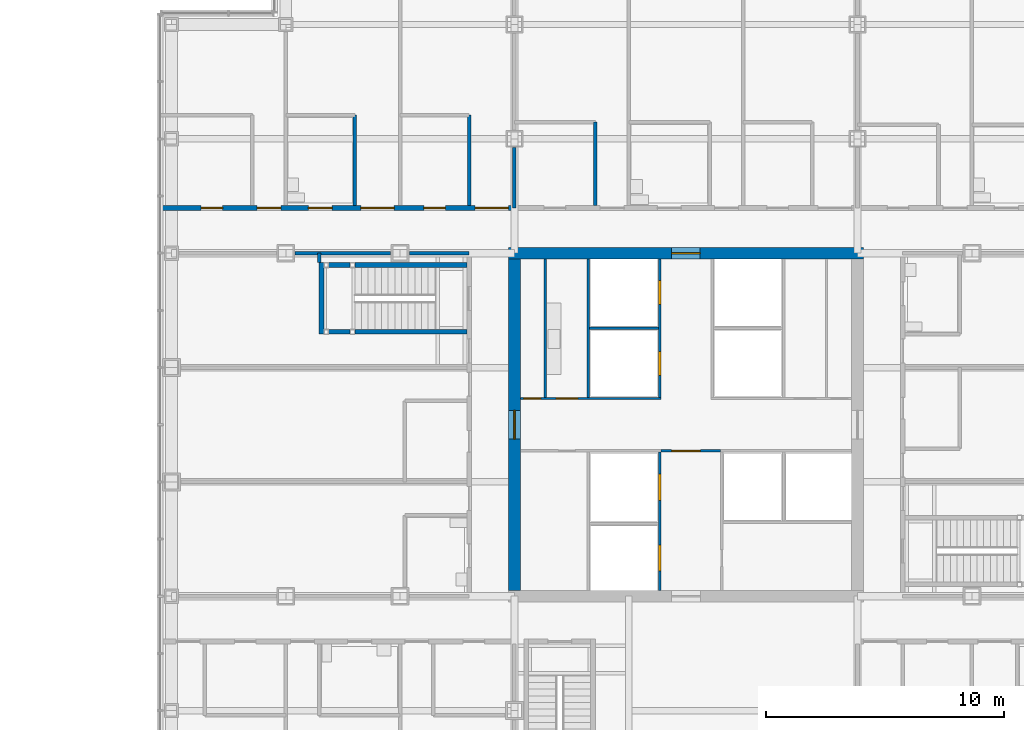
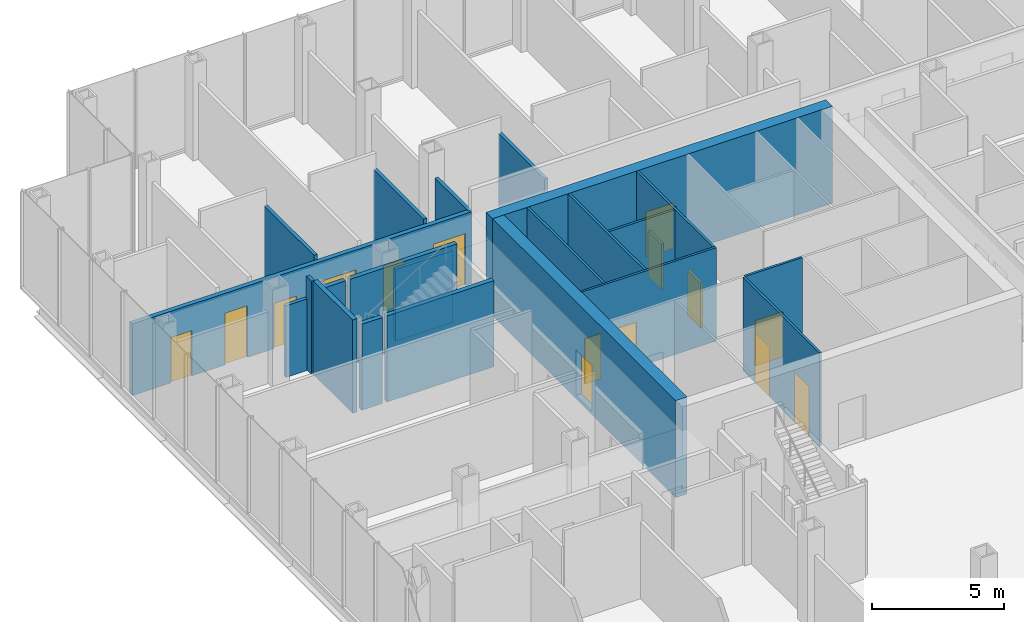
# One storey, part 21 of 28: 22 walls, 15 doors, 15 openings.
"""IFC4 building model written with IfcOpenShell, lengths in metres."""

from ifc_helpers import new_model, si_unit, direction, frame, frame_2d, origin, place, context, subcontext, project, spatial, rectangle, extrude, material, layer, layer_set, type_object, element, fill, save


model = new_model("IFC4")

# Units and contexts
model_context = context("Model", 3, precision=1e-05, world=origin(), true_north=direction((0.0, 1.0)))
body_context = subcontext(model_context, "Body", "Model", "MODEL_VIEW")
ifc_project = project(units=[si_unit("LENGTHUNIT", "METRE"), si_unit("AREAUNIT", "SQUARE_METRE"), si_unit("VOLUMEUNIT", "CUBIC_METRE"), si_unit("PLANEANGLEUNIT", "RADIAN"), si_unit("MASSUNIT", "GRAM", prefix="KILO")], contexts=[model_context])

# Site, building, storey
site_placement = place(None, origin())
site = spatial("IfcSite", under=ifc_project, at=site_placement, CompositionType="ELEMENT")
building_placement = place(site_placement, origin())
building = spatial("IfcBuilding", under=site, at=building_placement, Name="Kvirike Care Tower", CompositionType="ELEMENT")
storey_placement = place(building_placement, frame((0.0, 0.0, 4.5)))
storey = spatial("IfcBuildingStorey", under=building, at=storey_placement, Name="L01", CompositionType="ELEMENT", Elevation=4.5)

# Walls
ifc_material_1 = material(Name="Plasterboard partition", Category="gypsum")
ifc_layer_1 = layer(ifc_material_1, 0.14990234375)
ifc_layer_set_1 = layer_set([ifc_layer_1], Name="CLINIC PARTITION 150")
wall_type_1 = type_object("IfcWallType", Name="CLINIC PARTITION 150", PredefinedType="PARTITIONING", material=ifc_layer_set_1)
wall_1_placement = place(storey_placement, frame((6.199951171875, 43.199951171875, 0.0), z_axis=(0.0, 0.0, 1.0), x_axis=(0.0, -1.0, 0.0)))
element("IfcWall", 1, at=wall_1_placement, inside=storey, type_object=wall_type_1, Name="Clinic Partition 150 L01", PredefinedType="PARTITIONING", context=body_context, shape_type="SweptSolid", body=[
    extrude(rectangle(XDim=0.39990234375, YDim=0.14990234375, at=frame_2d((0.199951171875, 0.0))), origin(), (0.0, 0.0, 1.0), 4.330078125),
])
for number, where, z_axis, x_axis, name in (
    (2, (12.5, 49.0, 0.0), (0.0, 0.0, 1.0), (0.0, -1.0, 0.0), "Clinic Partition 150 L01"),
    (3, (7.699951171875, 49.0, 0.0), (0.0, 0.0, 1.0), (0.0, -1.0, 0.0), "Clinic Partition 150 L01"),
):
    element("IfcWall", number, at=place(storey_placement, frame(where, z_axis=z_axis, x_axis=x_axis)), inside=storey, type_object=wall_type_1, Name=name, PredefinedType="PARTITIONING", context=body_context, shape_type="SweptSolid", body=[
        extrude(rectangle(XDim=3.800048828125, YDim=0.14990234375, at=frame_2d((1.89990234375, 0.0))), origin(), (0.0, 0.0, 1.0), 3.550048828125),
    ])
wall_2_placement = place(storey_placement, frame((17.800048828125, 48.699951171875, 0.0), z_axis=(0.0, 0.0, 1.0), x_axis=(0.0, -1.0, 0.0)))
element("IfcWall", 4, at=wall_2_placement, inside=storey, type_object=wall_type_1, Name="Clinic Partition 150 L01", PredefinedType="PARTITIONING", context=body_context, shape_type="SweptSolid", body=[
    extrude(rectangle(XDim=3.5, YDim=0.14990234375, at=frame_2d((1.75, 0.0))), origin(), (0.0, 0.0, 1.0), 3.550048828125),
])
wall_3_placement = place(storey_placement, frame((12.5, 43.199951171875, 0.0), z_axis=(0.0, 0.0, 1.0), x_axis=(-1.0, 0.0, 0.0)))
element("IfcWall", 5, at=wall_3_placement, inside=storey, type_object=wall_type_1, Name="Clinic Partition 150 L01", PredefinedType="PARTITIONING", context=body_context, shape_type="SweptSolid", body=[
    extrude(rectangle(XDim=2.5048828125, YDim=0.14990234375, at=frame_2d((1.25244140625, 0.0))), origin(), (0.0, 0.0, 1.0), 3.320068359375),
])
wall_4_placement = place(storey_placement, frame((9.205078125, 43.199951171875, 0.0), z_axis=(0.0, 0.0, 1.0), x_axis=(-1.0, 0.0, 0.0)))
element("IfcWall", 6, at=wall_4_placement, inside=storey, type_object=wall_type_1, Name="Clinic Partition 150 L01", PredefinedType="PARTITIONING", context=body_context, shape_type="SweptSolid", body=[
    extrude(rectangle(XDim=4.010009765625, YDim=0.14990234375, at=frame_2d((2.0048828125, 0.0))), origin(), (0.0, 0.0, 1.0), 3.320068359375),
])
wall_5_placement = place(storey_placement, frame((14.39990234375, 45.10009765625, 0.0), z_axis=(0.0, 0.0, 1.0), x_axis=(0.0, 1.0, 0.0)))
element("IfcWall", 7, at=wall_5_placement, inside=storey, type_object=wall_type_1, Name="Clinic Partition 150 L01", PredefinedType="PARTITIONING", context=body_context, shape_type="SweptSolid", body=[
    extrude(rectangle(XDim=2.52978515625, YDim=0.14990234375, at=frame_2d((1.264892578125, 0.0))), origin(), (0.0, 0.0, 1.0), 3.320068359375),
])

# Wall, opening, door
ifc_material_2 = material(Name="Concrete C60/75", Category="concrete")
ifc_layer_2 = layer(ifc_material_2, 0.5)
ifc_layer_set_2 = layer_set([ifc_layer_2], Name="CORE WALL 500 C60-75")
wall_type_2 = type_object("IfcWallType", Name="CORE WALL 500 C60-75", PredefinedType="SHEAR", material=ifc_layer_set_2)
wall_6_placement = place(storey_placement, frame((29.050048828125, 43.199951171875, -0.169921875), z_axis=(0.0, 0.0, 1.0), x_axis=(-1.0, 0.0, 0.0)))
wall_6 = element("IfcWall", 8, at=wall_6_placement, inside=storey, type_object=wall_type_2, Name="Core wall N L01", PredefinedType="SHEAR", context=body_context, shape_type="SweptSolid", body=[
    extrude(rectangle(XDim=14.900146484375, YDim=0.5, at=frame_2d((7.4501953125, 0.0))), origin(), (0.0, 0.0, 1.0), 4.5),
])
opening_1_placement = place(wall_6_placement, frame((6.85009765625, 0.0, 0.169921875)))
opening_1 = element("IfcOpeningElement", 9, at=opening_1_placement, cuts=wall_6, Name="Opening 01-062", PredefinedType="OPENING", context=body_context, shape_type="SweptSolid", body=[
    extrude(rectangle(XDim=1.199951171875, YDim=2.10009765625, at=frame_2d((0.60009765625, 1.050048828125))), frame((0.0, 0.260498046875, 0.0), z_axis=(0.0, -1.0, 0.0), x_axis=(1.0, 0.0, 0.0)), (0.0, 0.0, 1.0), 0.52099609375),
])
ifc_material_3 = material(Name="Timber door set", Category="wood")
door_type_1 = type_object("IfcDoorType", Name="CORE DOOR 1200", OperationType="SINGLE_SWING_LEFT", PredefinedType="DOOR", material=ifc_material_3)
door_1_placement = place(opening_1_placement, origin())
door_1 = element("IfcDoor", 10, at=door_1_placement, inside=storey, type_object=door_type_1, Name="Core door N L01", OperationType="SINGLE_SWING_LEFT", OverallHeight=2.10009765625, OverallWidth=1.199951171875, PredefinedType="DOOR", context=body_context, shape_type="SweptSolid", body=[
    extrude(rectangle(XDim=1.199951171875, YDim=2.10009765625, at=frame_2d((0.60009765625, 1.050048828125))), frame((0.0, 0.02685546875, 0.0), z_axis=(0.0, -1.0, 0.0), x_axis=(1.0, 0.0, 0.0)), (0.0, 0.0, 1.0), 0.053955078125),
])
fill(opening_1, door_1)

wall_7_placement = place(storey_placement, frame((14.39990234375, 42.949951171875, -0.169921875), z_axis=(0.0, 0.0, 1.0), x_axis=(0.0, -1.0, 0.0)))
wall_7 = element("IfcWall", 11, at=wall_7_placement, inside=storey, type_object=wall_type_2, Name="Core wall W L01", PredefinedType="SHEAR", context=body_context, shape_type="SweptSolid", body=[
    extrude(rectangle(XDim=13.89990234375, YDim=0.5, at=frame_2d((6.949951171875, 0.0))), origin(), (0.0, 0.0, 1.0), 4.5),
])
opening_2_placement = place(wall_7_placement, frame((6.35009765625, 0.0, 0.169921875)))
opening_2 = element("IfcOpeningElement", 12, at=opening_2_placement, cuts=wall_7, Name="Opening 01-060", PredefinedType="OPENING", context=body_context, shape_type="SweptSolid", body=[
    extrude(rectangle(XDim=1.199951171875, YDim=2.10009765625, at=frame_2d((0.60009765625, 1.050048828125))), frame((0.0, 0.260498046875, 0.0), z_axis=(0.0, -1.0, 0.0), x_axis=(1.0, 0.0, 0.0)), (0.0, 0.0, 1.0), 0.52099609375),
])
door_2_placement = place(opening_2_placement, origin())
door_2 = element("IfcDoor", 13, at=door_2_placement, inside=storey, type_object=door_type_1, Name="Core door W L01", OperationType="SINGLE_SWING_LEFT", OverallHeight=2.10009765625, OverallWidth=1.199951171875, PredefinedType="DOOR", context=body_context, shape_type="SweptSolid", body=[
    extrude(rectangle(XDim=1.199951171875, YDim=2.10009765625, at=frame_2d((0.60009765625, 1.050048828125))), frame((0.0, 0.02685546875, 0.0), z_axis=(0.0, -1.0, 0.0), x_axis=(1.0, 0.0, 0.0)), (0.0, 0.0, 1.0), 0.053955078125),
])
fill(opening_2, door_2)

# Wall, openings, doors
ifc_material_4 = material(Name="Plasterboard corridor wall", Category="gypsum")
ifc_layer_3 = layer(ifc_material_4, 0.199951171875)
ifc_layer_set_3 = layer_set([ifc_layer_3], Name="CORRIDOR WALL 200")
wall_type_3 = type_object("IfcWallType", Name="CORRIDOR WALL 200", PredefinedType="PARTITIONING", material=ifc_layer_set_3)
wall_8_placement = place(storey_placement, frame((14.39990234375, 45.10009765625, 0.0), z_axis=(0.0, 0.0, 1.0), x_axis=(-1.0, 0.0, 0.0)))
wall_8 = element("IfcWall", 14, at=wall_8_placement, inside=storey, type_object=wall_type_3, Name="Corridor Wall 200 L01", PredefinedType="PARTITIONING", context=body_context, shape_type="SweptSolid", body=[
    extrude(rectangle(XDim=14.85498046875, YDim=0.199951171875, at=frame_2d((7.427490234375, 0.0))), origin(), (0.0, 0.0, 1.0), 3.320068359375),
])
opening_3_placement = place(wall_8_placement, frame((0.25, 0.0, 0.0)))
opening_3 = element("IfcOpeningElement", 15, at=opening_3_placement, cuts=wall_8, Name="Opening 01-013", PredefinedType="OPENING", context=body_context, shape_type="SweptSolid", body=[
    extrude(rectangle(XDim=1.39990234375, YDim=2.39990234375, at=frame_2d((0.699951171875, 1.199951171875))), frame((0.0, 0.110595703125, 0.0), z_axis=(0.0, -1.0, 0.0), x_axis=(1.0, 0.0, 0.0)), (0.0, 0.0, 1.0), 0.220947265625),
])
opening_4_placement = place(wall_8_placement, frame((5.050048828125, 0.0, 0.0)))
opening_4 = element("IfcOpeningElement", 16, at=opening_4_placement, cuts=wall_8, Name="Opening 01-014", PredefinedType="OPENING", context=body_context, shape_type="SweptSolid", body=[
    extrude(rectangle(XDim=1.39990234375, YDim=2.39990234375, at=frame_2d((0.699951171875, 1.199951171875))), frame((0.0, 0.110595703125, 0.0), z_axis=(0.0, -1.0, 0.0), x_axis=(1.0, 0.0, 0.0)), (0.0, 0.0, 1.0), 0.220947265625),
])
opening_5_placement = place(wall_8_placement, frame((9.800048828125, 0.0, 0.0)))
opening_5 = element("IfcOpeningElement", 17, at=opening_5_placement, cuts=wall_8, Name="Opening 01-015", PredefinedType="OPENING", context=body_context, shape_type="SweptSolid", body=[
    extrude(rectangle(XDim=1.0, YDim=2.39990234375, at=frame_2d((0.5, 1.199951171875))), frame((0.0, 0.110595703125, 0.0), z_axis=(0.0, -1.0, 0.0), x_axis=(1.0, 0.0, 0.0)), (0.0, 0.0, 1.0), 0.220947265625),
])
opening_6_placement = place(wall_8_placement, frame((2.89990234375, 0.0, 0.0)))
opening_6 = element("IfcOpeningElement", 18, at=opening_6_placement, cuts=wall_8, Name="Opening 01-016", PredefinedType="OPENING", context=body_context, shape_type="SweptSolid", body=[
    extrude(rectangle(XDim=0.89990234375, YDim=2.10009765625, at=frame_2d((0.449951171875, 1.050048828125))), frame((0.0, 0.110595703125, 0.0), z_axis=(0.0, -1.0, 0.0), x_axis=(1.0, 0.0, 0.0)), (0.0, 0.0, 1.0), 0.220947265625),
])
opening_7_placement = place(wall_8_placement, frame((7.64990234375, 0.0, 0.0)))
opening_7 = element("IfcOpeningElement", 19, at=opening_7_placement, cuts=wall_8, Name="Opening 01-017", PredefinedType="OPENING", context=body_context, shape_type="SweptSolid", body=[
    extrude(rectangle(XDim=1.0, YDim=2.10009765625, at=frame_2d((0.5, 1.050048828125))), frame((0.0, 0.110595703125, 0.0), z_axis=(0.0, -1.0, 0.0), x_axis=(1.0, 0.0, 0.0)), (0.0, 0.0, 1.0), 0.220947265625),
])
opening_8_placement = place(wall_8_placement, frame((12.25, 0.0, 0.0)))
opening_8 = element("IfcOpeningElement", 20, at=opening_8_placement, cuts=wall_8, Name="Opening 01-018", PredefinedType="OPENING", context=body_context, shape_type="SweptSolid", body=[
    extrude(rectangle(XDim=0.89990234375, YDim=2.10009765625, at=frame_2d((0.449951171875, 1.050048828125))), frame((0.0, 0.110595703125, 0.0), z_axis=(0.0, -1.0, 0.0), x_axis=(1.0, 0.0, 0.0)), (0.0, 0.0, 1.0), 0.220947265625),
])
ifc_material_5 = material(Name="Timber door set", Category="wood")
door_type_2 = type_object("IfcDoorType", Name="CONSULTING ROOM DOOR 1000", OperationType="SINGLE_SWING_LEFT", PredefinedType="DOOR", material=ifc_material_5)
door_3_placement = place(opening_5_placement, frame((1.0, 0.0, 0.0), z_axis=(0.0, 0.0, 1.0), x_axis=(-1.0, 0.0, 0.0)))
door_3 = element("IfcDoor", 21, at=door_3_placement, inside=storey, type_object=door_type_2, Name="Audiology room door", OperationType="SINGLE_SWING_LEFT", OverallHeight=2.39990234375, OverallWidth=1.0, PredefinedType="DOOR", context=body_context, shape_type="SweptSolid", body=[
    extrude(rectangle(XDim=1.0, YDim=2.39990234375, at=frame_2d((0.5, 1.199951171875))), frame((0.0, 0.02685546875, 0.0), z_axis=(0.0, -1.0, 0.0), x_axis=(1.0, 0.0, 0.0)), (0.0, 0.0, 1.0), 0.053955078125),
])
fill(opening_5, door_3)
ifc_material_6 = material(Name="Timber door set", Category="wood")
door_type_3 = type_object("IfcDoorType", Name="STORE DOOR 900", OperationType="SINGLE_SWING_LEFT", PredefinedType="DOOR", material=ifc_material_6)
door_4_placement = place(opening_6_placement, frame((0.89990234375, 0.0, 0.0), z_axis=(0.0, 0.0, 1.0), x_axis=(-1.0, 0.0, 0.0)))
door_4 = element("IfcDoor", 22, at=door_4_placement, inside=storey, type_object=door_type_3, Name="Store door", OperationType="SINGLE_SWING_LEFT", OverallHeight=2.10009765625, OverallWidth=0.89990234375, PredefinedType="DOOR", context=body_context, shape_type="SweptSolid", body=[
    extrude(rectangle(XDim=0.89990234375, YDim=2.10009765625, at=frame_2d((0.449951171875, 1.050048828125))), frame((0.0, 0.02685546875, 0.0), z_axis=(0.0, -1.0, 0.0), x_axis=(1.0, 0.0, 0.0)), (0.0, 0.0, 1.0), 0.053955078125),
])
fill(opening_6, door_4)
door_5_placement = place(opening_8_placement, frame((0.89990234375, 0.0, 0.0), z_axis=(0.0, 0.0, 1.0), x_axis=(-1.0, 0.0, 0.0)))
door_5 = element("IfcDoor", 23, at=door_5_placement, inside=storey, type_object=door_type_3, Name="Store door", OperationType="SINGLE_SWING_RIGHT", OverallHeight=2.10009765625, OverallWidth=0.89990234375, PredefinedType="DOOR", context=body_context, shape_type="SweptSolid", body=[
    extrude(rectangle(XDim=0.89990234375, YDim=2.10009765625, at=frame_2d((0.449951171875, 1.050048828125))), frame((0.0, 0.02685546875, 0.0), z_axis=(0.0, -1.0, 0.0), x_axis=(1.0, 0.0, 0.0)), (0.0, 0.0, 1.0), 0.053955078125),
])
fill(opening_8, door_5)
ifc_material_7 = material(Name="Timber door set", Category="wood")
door_type_4 = type_object("IfcDoorType", Name="TREATMENT ROOM DOOR 1400", OperationType="DOUBLE_DOOR_SINGLE_SWING", PredefinedType="DOOR", material=ifc_material_7)
door_6_placement = place(opening_3_placement, frame((1.39990234375, 0.0, 0.0), z_axis=(0.0, 0.0, 1.0), x_axis=(-1.0, 0.0, 0.0)))
door_6 = element("IfcDoor", 24, at=door_6_placement, inside=storey, type_object=door_type_4, Name="Dental surgery door", OperationType="DOUBLE_DOOR_SINGLE_SWING", OverallHeight=2.39990234375, OverallWidth=1.39990234375, PredefinedType="DOOR", context=body_context, shape_type="SweptSolid", body=[
    extrude(rectangle(XDim=1.39990234375, YDim=2.39990234375, at=frame_2d((0.699951171875, 1.199951171875))), frame((0.0, 0.02685546875, 0.0), z_axis=(0.0, -1.0, 0.0), x_axis=(1.0, 0.0, 0.0)), (0.0, 0.0, 1.0), 0.053955078125),
])
fill(opening_3, door_6)
door_7_placement = place(opening_4_placement, frame((1.39990234375, 0.0, 0.0), z_axis=(0.0, 0.0, 1.0), x_axis=(-1.0, 0.0, 0.0)))
door_7 = element("IfcDoor", 25, at=door_7_placement, inside=storey, type_object=door_type_4, Name="Dental surgery door", OperationType="DOUBLE_DOOR_SINGLE_SWING", OverallHeight=2.39990234375, OverallWidth=1.39990234375, PredefinedType="DOOR", context=body_context, shape_type="SweptSolid", body=[
    extrude(rectangle(XDim=1.39990234375, YDim=2.39990234375, at=frame_2d((0.699951171875, 1.199951171875))), frame((0.0, 0.02685546875, 0.0), z_axis=(0.0, -1.0, 0.0), x_axis=(1.0, 0.0, 0.0)), (0.0, 0.0, 1.0), 0.053955078125),
])
fill(opening_4, door_7)
ifc_material_8 = material(Name="Timber door set", Category="wood")
door_type_5 = type_object("IfcDoorType", Name="WC DOOR 1000", OperationType="SINGLE_SWING_LEFT", PredefinedType="DOOR", material=ifc_material_8)
door_8_placement = place(opening_7_placement, frame((1.0, 0.0, 0.0), z_axis=(0.0, 0.0, 1.0), x_axis=(-1.0, 0.0, 0.0)))
door_8 = element("IfcDoor", 26, at=door_8_placement, inside=storey, type_object=door_type_5, Name="Staff WC door", OperationType="SINGLE_SWING_RIGHT", OverallHeight=2.10009765625, OverallWidth=1.0, PredefinedType="DOOR", context=body_context, shape_type="SweptSolid", body=[
    extrude(rectangle(XDim=1.0, YDim=2.10009765625, at=frame_2d((0.5, 1.050048828125))), frame((0.0, 0.02685546875, 0.0), z_axis=(0.0, -1.0, 0.0), x_axis=(1.0, 0.0, 0.0)), (0.0, 0.0, 1.0), 0.053955078125),
])
fill(opening_7, door_8)

# Wall
ifc_material_9 = material(Name="Gypsum shaft wall system", Category="gypsum")
ifc_layer_4 = layer(ifc_material_9, 0.10009765625)
ifc_layer_set_4 = layer_set([ifc_layer_4], Name="SHAFT WALL 100")
wall_type_4 = type_object("IfcWallType", Name="SHAFT WALL 100", PredefinedType="SOLIDWALL", material=ifc_layer_set_4)
wall_9_placement = place(storey_placement, frame((15.699951171875, 37.14990234375, 0.0), z_axis=(0.0, 0.0, 1.0), x_axis=(0.0, 1.0, 0.0)))
element("IfcWall", 27, at=wall_9_placement, inside=storey, type_object=wall_type_4, Name="Shaft Wall 100 L01", PredefinedType="SOLIDWALL", context=body_context, shape_type="SweptSolid", body=[
    extrude(rectangle(XDim=5.800048828125, YDim=0.10009765625, at=frame_2d((2.89990234375, 0.0))), origin(), (0.0, 0.0, 1.0), 4.330078125),
])

# Wall, openings, doors
wall_10_placement = place(storey_placement, frame((20.5, 29.050048828125, 0.0), z_axis=(0.0, 0.0, 1.0), x_axis=(0.0, 1.0, 0.0)))
wall_10 = element("IfcWall", 28, at=wall_10_placement, inside=storey, type_object=wall_type_4, Name="Shaft Wall 100 L01", PredefinedType="SOLIDWALL", context=body_context, shape_type="SweptSolid", body=[
    extrude(rectangle(XDim=5.800048828125, YDim=0.10009765625, at=frame_2d((2.89990234375, 0.0))), origin(), (0.0, 0.0, 1.0), 4.330078125),
])
opening_9_placement = place(wall_10_placement, frame((0.800048828125, 0.0, 0.0)))
opening_9 = element("IfcOpeningElement", 29, at=opening_9_placement, cuts=wall_10, Name="Opening 01-048", PredefinedType="OPENING", context=body_context, shape_type="SweptSolid", body=[
    extrude(rectangle(XDim=1.10009765625, YDim=2.300048828125, at=frame_2d((0.550048828125, 1.14990234375))), frame((0.0, 0.060546875, 0.0), z_axis=(0.0, -1.0, 0.0), x_axis=(1.0, 0.0, 0.0)), (0.0, 0.0, 1.0), 0.12109375),
])
opening_10_placement = place(wall_10_placement, frame((3.77490234375, 0.0, 0.0)))
opening_10 = element("IfcOpeningElement", 30, at=opening_10_placement, cuts=wall_10, Name="Opening 01-049", PredefinedType="OPENING", context=body_context, shape_type="SweptSolid", body=[
    extrude(rectangle(XDim=1.10009765625, YDim=2.300048828125, at=frame_2d((0.550048828125, 1.14990234375))), frame((0.0, 0.060546875, 0.0), z_axis=(0.0, -1.0, 0.0), x_axis=(1.0, 0.0, 0.0)), (0.0, 0.0, 1.0), 0.12109375),
])
ifc_material_10 = material(Name="Aluminium door frame", Category="aluminium")
door_type_6 = type_object("IfcDoorType", Name="FIRE-FIGHTING LIFT LANDING DOOR 1100", OperationType="SLIDING_TO_LEFT", PredefinedType="DOOR", material=ifc_material_10)
door_9_placement = place(opening_9_placement, origin())
door_9 = element("IfcDoor", 31, at=door_9_placement, inside=storey, type_object=door_type_6, Name="Lift FF1 landing door", OperationType="SLIDING_TO_LEFT", OverallHeight=2.300048828125, OverallWidth=1.10009765625, PredefinedType="DOOR", context=body_context, shape_type="SweptSolid", body=[
    extrude(rectangle(XDim=1.10009765625, YDim=2.300048828125, at=frame_2d((0.550048828125, 1.14990234375))), frame((0.0, 0.0498046875, 0.0), z_axis=(0.0, -1.0, 0.0), x_axis=(1.0, 0.0, 0.0)), (0.0, 0.0, 1.0), 0.099609375),
])
fill(opening_9, door_9)
door_10_placement = place(opening_10_placement, origin())
door_10 = element("IfcDoor", 32, at=door_10_placement, inside=storey, type_object=door_type_6, Name="Lift FF2 landing door", OperationType="SLIDING_TO_LEFT", OverallHeight=2.300048828125, OverallWidth=1.10009765625, PredefinedType="DOOR", context=body_context, shape_type="SweptSolid", body=[
    extrude(rectangle(XDim=1.10009765625, YDim=2.300048828125, at=frame_2d((0.550048828125, 1.14990234375))), frame((0.0, 0.0498046875, 0.0), z_axis=(0.0, -1.0, 0.0), x_axis=(1.0, 0.0, 0.0)), (0.0, 0.0, 1.0), 0.099609375),
])
fill(opening_10, door_10)

wall_11_placement = place(storey_placement, frame((20.5, 37.14990234375, 0.0), z_axis=(0.0, 0.0, 1.0), x_axis=(0.0, 1.0, 0.0)))
wall_11 = element("IfcWall", 33, at=wall_11_placement, inside=storey, type_object=wall_type_4, Name="Shaft Wall 100 L01", PredefinedType="SOLIDWALL", context=body_context, shape_type="SweptSolid", body=[
    extrude(rectangle(XDim=5.800048828125, YDim=0.10009765625, at=frame_2d((2.89990234375, 0.0))), origin(), (0.0, 0.0, 1.0), 4.330078125),
])
opening_11_placement = place(wall_11_placement, frame((0.925048828125, 0.0, 0.0)))
opening_11 = element("IfcOpeningElement", 34, at=opening_11_placement, cuts=wall_11, Name="Opening 01-050", PredefinedType="OPENING", context=body_context, shape_type="SweptSolid", body=[
    extrude(rectangle(XDim=1.0, YDim=2.10009765625, at=frame_2d((0.5, 1.050048828125))), frame((0.0, 0.060546875, 0.0), z_axis=(0.0, -1.0, 0.0), x_axis=(1.0, 0.0, 0.0)), (0.0, 0.0, 1.0), 0.12109375),
])
opening_12_placement = place(wall_11_placement, frame((3.89990234375, 0.0, 0.0)))
opening_12 = element("IfcOpeningElement", 35, at=opening_12_placement, cuts=wall_11, Name="Opening 01-051", PredefinedType="OPENING", context=body_context, shape_type="SweptSolid", body=[
    extrude(rectangle(XDim=1.0, YDim=2.10009765625, at=frame_2d((0.5, 1.050048828125))), frame((0.0, 0.060546875, 0.0), z_axis=(0.0, -1.0, 0.0), x_axis=(1.0, 0.0, 0.0)), (0.0, 0.0, 1.0), 0.12109375),
])
ifc_material_11 = material(Name="Aluminium door frame", Category="aluminium")
door_type_7 = type_object("IfcDoorType", Name="LIFT LANDING DOOR 1000", OperationType="SLIDING_TO_LEFT", PredefinedType="DOOR", material=ifc_material_11)
door_11_placement = place(opening_11_placement, origin())
door_11 = element("IfcDoor", 36, at=door_11_placement, inside=storey, type_object=door_type_7, Name="Lift P1 landing door", OperationType="SLIDING_TO_LEFT", OverallHeight=2.10009765625, OverallWidth=1.0, PredefinedType="DOOR", context=body_context, shape_type="SweptSolid", body=[
    extrude(rectangle(XDim=1.0, YDim=2.10009765625, at=frame_2d((0.5, 1.050048828125))), frame((0.0, 0.0498046875, 0.0), z_axis=(0.0, -1.0, 0.0), x_axis=(1.0, 0.0, 0.0)), (0.0, 0.0, 1.0), 0.099609375),
])
fill(opening_11, door_11)
door_12_placement = place(opening_12_placement, origin())
door_12 = element("IfcDoor", 37, at=door_12_placement, inside=storey, type_object=door_type_7, Name="Lift P2 landing door", OperationType="SLIDING_TO_LEFT", OverallHeight=2.10009765625, OverallWidth=1.0, PredefinedType="DOOR", context=body_context, shape_type="SweptSolid", body=[
    extrude(rectangle(XDim=1.0, YDim=2.10009765625, at=frame_2d((0.5, 1.050048828125))), frame((0.0, 0.0498046875, 0.0), z_axis=(0.0, -1.0, 0.0), x_axis=(1.0, 0.0, 0.0)), (0.0, 0.0, 1.0), 0.099609375),
])
fill(opening_12, door_12)

wall_12_placement = place(storey_placement, frame((14.64990234375, 37.10009765625, 0.0), z_axis=(0.0, 0.0, 1.0), x_axis=(1.0, 0.0, 0.0)))
wall_12 = element("IfcWall", 38, at=wall_12_placement, inside=storey, type_object=wall_type_4, Name="Shaft Wall 100 L01", PredefinedType="SOLIDWALL", context=body_context, shape_type="SweptSolid", body=[
    extrude(rectangle(XDim=5.900146484375, YDim=0.10009765625, at=frame_2d((2.9501953125, 0.0))), origin(), (0.0, 0.0, 1.0), 4.330078125),
])
opening_13_placement = place(wall_12_placement, frame((0.14990234375, 0.0, 0.0)))
opening_13 = element("IfcOpeningElement", 39, at=opening_13_placement, cuts=wall_12, Name="Opening 01-054", PredefinedType="OPENING", context=body_context, shape_type="SweptSolid", body=[
    extrude(rectangle(XDim=0.699951171875, YDim=2.10009765625, at=frame_2d((0.35009765625, 1.050048828125))), frame((0.0, 0.060546875, 0.0), z_axis=(0.0, -1.0, 0.0), x_axis=(1.0, 0.0, 0.0)), (0.0, 0.0, 1.0), 0.12109375),
])
opening_14_placement = place(wall_12_placement, frame((1.5, 0.0, 0.0)))
opening_14 = element("IfcOpeningElement", 40, at=opening_14_placement, cuts=wall_12, Name="Opening 01-055", PredefinedType="OPENING", context=body_context, shape_type="SweptSolid", body=[
    extrude(rectangle(XDim=0.89990234375, YDim=2.10009765625, at=frame_2d((0.449951171875, 1.050048828125))), frame((0.0, 0.060546875, 0.0), z_axis=(0.0, -1.0, 0.0), x_axis=(1.0, 0.0, 0.0)), (0.0, 0.0, 1.0), 0.12109375),
])
ifc_material_12 = material(Name="Timber door set", Category="wood")
door_type_8 = type_object("IfcDoorType", Name="RISER DOOR 700", OperationType="SINGLE_SWING_LEFT", PredefinedType="DOOR", material=ifc_material_12)
door_13_placement = place(opening_13_placement, origin())
door_13 = element("IfcDoor", 41, at=door_13_placement, inside=storey, type_object=door_type_8, Name="Riser door", OperationType="SINGLE_SWING_RIGHT", OverallHeight=2.10009765625, OverallWidth=0.699951171875, PredefinedType="DOOR", context=body_context, shape_type="SweptSolid", body=[
    extrude(rectangle(XDim=0.699951171875, YDim=2.10009765625, at=frame_2d((0.35009765625, 1.050048828125))), frame((0.0, 0.02685546875, 0.0), z_axis=(0.0, -1.0, 0.0), x_axis=(1.0, 0.0, 0.0)), (0.0, 0.0, 1.0), 0.053955078125),
])
fill(opening_13, door_13)
door_14_placement = place(opening_14_placement, origin())
door_14 = element("IfcDoor", 42, at=door_14_placement, inside=storey, type_object=door_type_3, Name="Resident pantry door", OperationType="SINGLE_SWING_LEFT", OverallHeight=2.10009765625, OverallWidth=0.89990234375, PredefinedType="DOOR", context=body_context, shape_type="SweptSolid", body=[
    extrude(rectangle(XDim=0.89990234375, YDim=2.10009765625, at=frame_2d((0.449951171875, 1.050048828125))), frame((0.0, 0.02685546875, 0.0), z_axis=(0.0, -1.0, 0.0), x_axis=(1.0, 0.0, 0.0)), (0.0, 0.0, 1.0), 0.053955078125),
])
fill(opening_14, door_14)

# Wall, opening, door
wall_13_placement = place(storey_placement, frame((20.550048828125, 34.89990234375, 0.0), z_axis=(0.0, 0.0, 1.0), x_axis=(1.0, 0.0, 0.0)))
wall_13 = element("IfcWall", 43, at=wall_13_placement, inside=storey, type_object=wall_type_4, Name="Shaft Wall 100 L01", PredefinedType="SOLIDWALL", context=body_context, shape_type="SweptSolid", body=[
    extrude(rectangle(XDim=2.5, YDim=0.10009765625, at=frame_2d((1.25, 0.0))), origin(), (0.0, 0.0, 1.0), 4.330078125),
])
opening_15_placement = place(wall_13_placement, frame((0.449951171875, 0.0, 0.0)))
opening_15 = element("IfcOpeningElement", 44, at=opening_15_placement, cuts=wall_13, Name="Opening 01-058", PredefinedType="OPENING", context=body_context, shape_type="SweptSolid", body=[
    extrude(rectangle(XDim=1.199951171875, YDim=2.10009765625, at=frame_2d((0.60009765625, 1.050048828125))), frame((0.0, 0.060546875, 0.0), z_axis=(0.0, -1.0, 0.0), x_axis=(1.0, 0.0, 0.0)), (0.0, 0.0, 1.0), 0.12109375),
])
door_15_placement = place(opening_15_placement, frame((1.199951171875, 0.0, 0.0), z_axis=(0.0, 0.0, 1.0), x_axis=(-1.0, 0.0, 0.0)))
door_15 = element("IfcDoor", 45, at=door_15_placement, inside=storey, type_object=door_type_1, Name="Fire-fighting lobby door", OperationType="SINGLE_SWING_LEFT", OverallHeight=2.10009765625, OverallWidth=1.199951171875, PredefinedType="DOOR", context=body_context, shape_type="SweptSolid", body=[
    extrude(rectangle(XDim=1.199951171875, YDim=2.10009765625, at=frame_2d((0.60009765625, 1.050048828125))), frame((0.0, 0.02685546875, 0.0), z_axis=(0.0, -1.0, 0.0), x_axis=(1.0, 0.0, 0.0)), (0.0, 0.0, 1.0), 0.053955078125),
])
fill(opening_15, door_15)

# Walls
wall_14_placement = place(storey_placement, frame((17.5, 37.14990234375, 0.0), z_axis=(0.0, 0.0, 1.0), x_axis=(0.0, 1.0, 0.0)))
element("IfcWall", 46, at=wall_14_placement, inside=storey, type_object=wall_type_4, Name="Shaft Wall 100 L01", PredefinedType="SOLIDWALL", context=body_context, shape_type="SweptSolid", body=[
    extrude(rectangle(XDim=5.800048828125, YDim=0.10009765625, at=frame_2d((2.89990234375, 0.0))), origin(), (0.0, 0.0, 1.0), 4.330078125),
])
wall_15_placement = place(storey_placement, frame((17.550048828125, 40.050048828125, 0.0), z_axis=(0.0, 0.0, 1.0), x_axis=(1.0, 0.0, 0.0)))
element("IfcWall", 47, at=wall_15_placement, inside=storey, type_object=wall_type_4, Name="Shaft Wall 100 L01", PredefinedType="SOLIDWALL", context=body_context, shape_type="SweptSolid", body=[
    extrude(rectangle(XDim=2.89990234375, YDim=0.10009765625, at=frame_2d((1.449951171875, 0.0))), origin(), (0.0, 0.0, 1.0), 4.330078125),
])
ifc_material_13 = material(Name="Concrete C40/50", Category="concrete")
ifc_layer_5 = layer(ifc_material_13, 0.199951171875)
ifc_layer_set_5 = layer_set([ifc_layer_5], Name="STAIR WALL 200")
wall_type_5 = type_object("IfcWallType", Name="STAIR WALL 200", PredefinedType="SOLIDWALL", material=ifc_layer_set_5)
wall_16_placement = place(storey_placement, frame((6.60009765625, 42.699951171875, 0.0), z_axis=(0.0, 0.0, 1.0), x_axis=(1.0, 0.0, 0.0)))
element("IfcWall", 48, at=wall_16_placement, inside=storey, type_object=wall_type_5, Name="Stair Wall 200 L01", PredefinedType="SOLIDWALL", context=body_context, shape_type="SweptSolid", body=[
    extrude(rectangle(XDim=0.89990234375, YDim=0.199951171875, at=frame_2d((0.449951171875, 0.0))), origin(), (0.0, 0.0, 1.0), 3.989990234375),
])
wall_17_placement = place(storey_placement, frame((7.699951171875, 42.699951171875, 0.0), z_axis=(0.0, 0.0, 1.0), x_axis=(1.0, 0.0, 0.0)))
element("IfcWall", 49, at=wall_17_placement, inside=storey, type_object=wall_type_5, Name="Stair Wall 200 L01", PredefinedType="SOLIDWALL", context=body_context, shape_type="SweptSolid", body=[
    extrude(rectangle(XDim=4.699951171875, YDim=0.199951171875, at=frame_2d((2.35009765625, 0.0))), origin(), (0.0, 0.0, 1.0), 3.989990234375),
])
wall_18_placement = place(storey_placement, frame((6.60009765625, 39.89990234375, 0.0), z_axis=(0.0, 0.0, 1.0), x_axis=(1.0, 0.0, 0.0)))
element("IfcWall", 50, at=wall_18_placement, inside=storey, type_object=wall_type_5, Name="Stair Wall 200 L01", PredefinedType="SOLIDWALL", context=body_context, shape_type="SweptSolid", body=[
    extrude(rectangle(XDim=0.89990234375, YDim=0.199951171875, at=frame_2d((0.449951171875, 0.0))), origin(), (0.0, 0.0, 1.0), 3.989990234375),
])
wall_19_placement = place(storey_placement, frame((7.699951171875, 39.89990234375, 0.0), z_axis=(0.0, 0.0, 1.0), x_axis=(1.0, 0.0, 0.0)))
element("IfcWall", 51, at=wall_19_placement, inside=storey, type_object=wall_type_5, Name="Stair Wall 200 L01", PredefinedType="SOLIDWALL", context=body_context, shape_type="SweptSolid", body=[
    extrude(rectangle(XDim=4.699951171875, YDim=0.199951171875, at=frame_2d((2.35009765625, 0.0))), origin(), (0.0, 0.0, 1.0), 3.989990234375),
])
wall_20_placement = place(storey_placement, frame((6.300048828125, 42.800048828125, 0.0), z_axis=(0.0, 0.0, 1.0), x_axis=(0.0, -1.0, 0.0)))
element("IfcWall", 52, at=wall_20_placement, inside=storey, type_object=wall_type_5, Name="Stair Wall 200 L01", PredefinedType="SOLIDWALL", context=body_context, shape_type="SweptSolid", body=[
    extrude(rectangle(XDim=3.0, YDim=0.199951171875, at=frame_2d((1.5, 0.0))), origin(), (0.0, 0.0, 1.0), 4.330078125),
])

save(model, "model.ifc")
